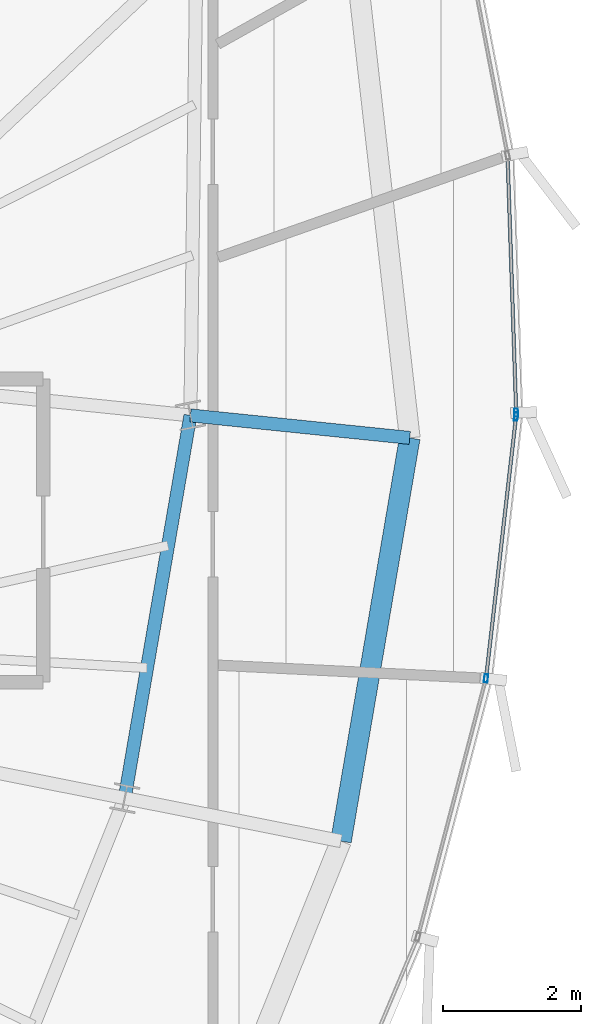
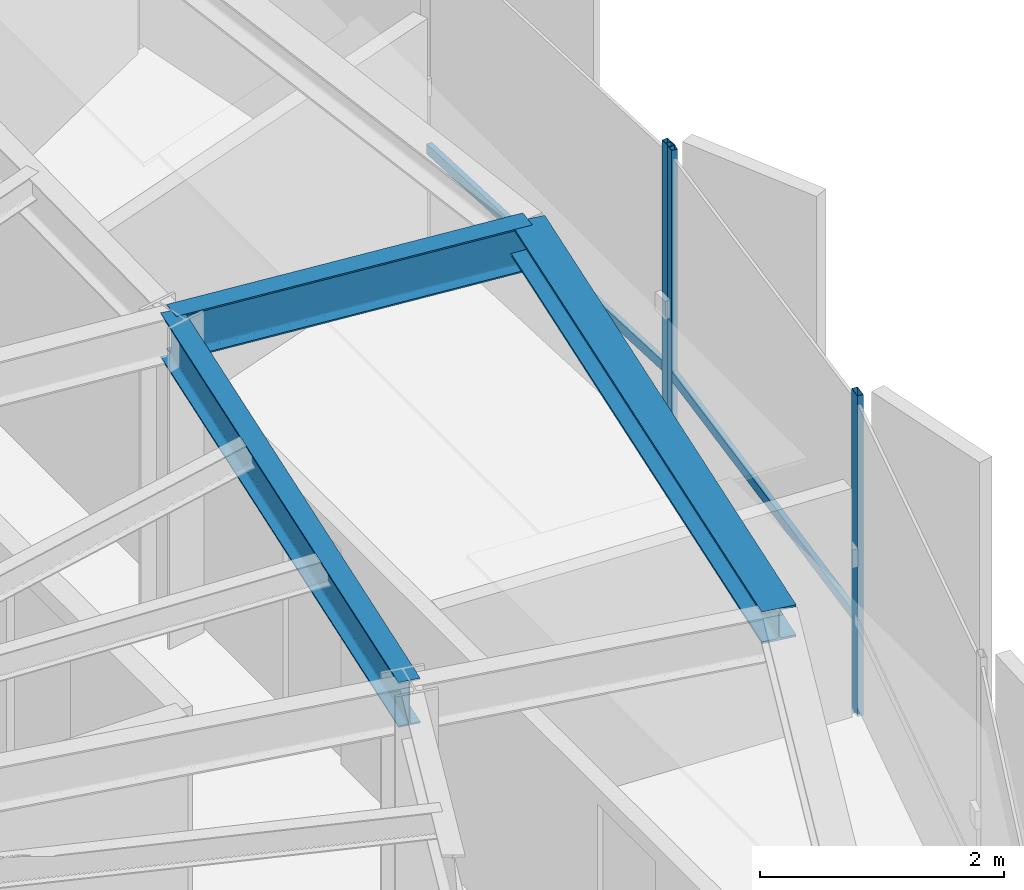
# One storey, part 15 of 31: 5 members, 3 beams, 2 elements without a shape of their own.
"""IFC4 building model written with IfcOpenShell, lengths in metres."""

from ifc_helpers import new_model, si_unit, direction, frame, origin, origin_2d, place, context, subcontext, project, spatial, hollow_rectangle, i_section, extrude, source, transform, mapped, material, layer, layer_set, material_profile, profile_set, type_object, element, aggregate, save


model = new_model("IFC4")

# Units and contexts
model_context = context("Model", 3, precision=1e-05, world=origin(), true_north=direction((0.0, 1.0)))
body_context = subcontext(model_context, "Body", "Model", "MODEL_VIEW")
ifc_project = project(units=[si_unit("LENGTHUNIT", "METRE"), si_unit("AREAUNIT", "SQUARE_METRE"), si_unit("VOLUMEUNIT", "CUBIC_METRE"), si_unit("PLANEANGLEUNIT", "RADIAN"), si_unit("MASSUNIT", "GRAM", prefix="KILO"), si_unit("THERMODYNAMICTEMPERATUREUNIT", "KELVIN")], contexts=[model_context])

# Site, building, storey
site_placement = place(None, origin())
site = spatial("IfcSite", under=ifc_project, at=site_placement, CompositionType="ELEMENT")
building_placement = place(site_placement, origin())
building = spatial("IfcBuilding", under=site, at=building_placement, Name="Kethvar Cultural Tower", CompositionType="ELEMENT")
storey_placement = place(building_placement, frame((0.0, 0.0, 287.050048828125)))
storey = spatial("IfcBuildingStorey", under=building, at=storey_placement, Name="L76", CompositionType="ELEMENT", Elevation=287.050048828125)

# Beams
ifc_material_1 = material(Name="Steel S355J2", Category="steel")
ifc_material_profile_1 = material_profile(ifc_material_1, i_section(OverallWidth=0.18994140625, OverallDepth=0.449951171875, WebThickness=0.009521484375, FlangeThickness=0.0146484375, FilletRadius=0.02099609375, at=origin_2d()), Name="Steel S355J2 — IPE450")
ifc_profile_set_1 = profile_set([ifc_material_profile_1], Name="Steel S355J2 — IPE450")
beam_type_1 = type_object("IfcBeamType", Name="BM-IPE450", PredefinedType="BEAM", material=ifc_profile_set_1)
shared_shape_1 = source(origin(), body_context, "Body", "SweptSolid", [
    extrude(i_section(OverallWidth=0.18994140625, OverallDepth=0.449951171875, WebThickness=0.009521484375, FlangeThickness=0.0146484375, FilletRadius=0.02099609375, at=origin_2d()), origin(), (0.0, 0.0, 1.0), 3.199951171875),
])
beam_1_placement = place(storey_placement, frame((61.237060546875, 30.671630859375, 2.98291015625), z_axis=(0.994784019447, -0.10200369921, 0.0), x_axis=(0.10200369921, 0.994784019447, 0.0)))
element("IfcBeam", 1, at=beam_1_placement, inside=storey, type_object=beam_type_1, Name="L76 Perimeter Cantilever Beam RC-01", PredefinedType="BEAM", context=body_context, shape_type="MappedRepresentation", body=[
    mapped(shared_shape_1, transform((0.0, 0.0, 0.0), scale=1.0)),
])
shared_shape_2 = source(origin(), body_context, "Body", "SweptSolid", [
    extrude(i_section(OverallWidth=0.18994140625, OverallDepth=0.449951171875, WebThickness=0.009521484375, FlangeThickness=0.0146484375, FilletRadius=0.02099609375, at=origin_2d()), origin(), (0.0, 0.0, 1.0), 5.635009765625),
])
beam_2_placement = place(storey_placement, frame((60.28369140625, 25.117919921875, 2.98291015625), z_axis=(0.169188687614, 0.985583678834, 0.0), x_axis=(-0.985583678834, 0.169188687614, 0.0)))
element("IfcBeam", 2, at=beam_2_placement, inside=storey, type_object=beam_type_1, Name="L76 Column Ring Tie Beam CR-16", PredefinedType="BEAM", context=body_context, shape_type="MappedRepresentation", body=[
    mapped(shared_shape_2, transform((0.0, 0.0, 0.0), scale=1.0)),
])
ifc_material_profile_2 = material_profile(ifc_material_1, i_section(OverallWidth=0.300048828125, OverallDepth=0.320068359375, WebThickness=0.011474609375, FlangeThickness=0.0205078125, FilletRadius=0.027099609375, at=origin_2d()), Name="Steel S355J2 — HEB320")
ifc_profile_set_2 = profile_set([ifc_material_profile_2], Name="Steel S355J2 — HEB320")
beam_type_2 = type_object("IfcBeamType", Name="BM-SP320", PredefinedType="SPANDREL", material=ifc_profile_set_2)
shared_shape_3 = source(origin(), body_context, "Body", "SweptSolid", [
    extrude(i_section(OverallWidth=0.300048828125, OverallDepth=0.320068359375, WebThickness=0.011474609375, FlangeThickness=0.0205078125, FilletRadius=0.027099609375, at=origin_2d()), origin(), (0.0, 0.0, 1.0), 5.93603515625),
])
beam_3_placement = place(storey_placement, frame((63.422119140625, 24.49365234375, 3.0478515625), z_axis=(0.16817267321, 0.985757552335, 0.0), x_axis=(-0.985757552335, 0.16817267321, 0.0)))
element("IfcBeam", 3, at=beam_3_placement, inside=storey, type_object=beam_type_2, Name="L76 Perimeter Spandrel Beam SP-16", PredefinedType="SPANDREL", context=body_context, shape_type="MappedRepresentation", body=[
    mapped(shared_shape_3, transform((0.0, 0.0, 0.0), scale=1.0)),
])

# Curtain wall, members
ifc_material_2 = material(Name="Aluminium 6063-T6", Category="aluminium")
ifc_layer = layer(ifc_material_2, 0.179931640625, Name="Aluminium 6063-T6", Category="aluminium")
ifc_layer_set = layer_set([ifc_layer], Name="Aluminium 6063-T6 (180 mm)")
curtain_wall_type = type_object("IfcCurtainWallType", Name="CW-SYS-05-Z56", PredefinedType="NOTDEFINED", material=ifc_layer_set)
curtain_wall_1_placement = place(storey_placement, origin())
curtain_wall_1 = element("IfcCurtainWall", 4, at=curtain_wall_1_placement, inside=storey, type_object=curtain_wall_type, Name="L76 Curtain Wall Run 05", PredefinedType="NOTDEFINED")
ifc_material_profile_3 = material_profile(ifc_material_2, hollow_rectangle(XDim=0.054931640625, YDim=0.1201171875, WallThickness=0.00390625, at=origin_2d()), Name="Aluminium 6063-T6 — RHS120x55x4")
ifc_profile_set_3 = profile_set([ifc_material_profile_3], Name="Aluminium 6063-T6 — RHS120x55x4")
member_type_1 = type_object("IfcMemberType", Name="CW-SYS-05-Z56-MUL", PredefinedType="MULLION", material=ifc_profile_set_3)
shared_shape_4 = source(origin(), body_context, "Body", "SweptSolid", [
    extrude(hollow_rectangle(XDim=0.054931640625, YDim=0.1201171875, WallThickness=0.00390625, at=origin_2d()), origin(), (0.0, 0.0, 1.0), 3.2099609375),
])
member_1_placement = place(storey_placement, frame((65.52734375, 26.855224609375, 0.0), z_axis=(0.0, 0.0, 1.0), x_axis=(-0.993494570527, 0.1138794904, 0.0)))
member_1 = element("IfcMember", 5, at=member_1_placement, type_object=member_type_1, Name="CW-L76-R05 Mullion 6", PredefinedType="MULLION", context=body_context, shape_type="MappedRepresentation", body=[
    mapped(shared_shape_4, transform((0.0, 0.0, 0.0), scale=1.0)),
])
member_2_placement = place(storey_placement, frame((65.962646484375, 30.654052734375, 0.0), z_axis=(0.0, 0.0, 1.0), x_axis=(-0.993494570527, 0.1138794904, 0.0)))
member_2 = element("IfcMember", 6, at=member_2_placement, type_object=member_type_1, Name="CW-L76-R05 Mullion 7", PredefinedType="MULLION", context=body_context, shape_type="MappedRepresentation", body=[
    mapped(shared_shape_4, transform((0.0, 0.0, 0.0), scale=1.0)),
])

curtain_wall_2_placement = place(storey_placement, origin())
curtain_wall_2 = element("IfcCurtainWall", 7, at=curtain_wall_2_placement, inside=storey, type_object=curtain_wall_type, Name="L76 Curtain Wall Run 06", PredefinedType="NOTDEFINED")
member_3_placement = place(storey_placement, frame((65.965087890625, 30.71044921875, 0.0), z_axis=(0.0, 0.0, 1.0), x_axis=(-0.999435067695, -0.033608711081, 0.0)))
member_3 = element("IfcMember", 8, at=member_3_placement, type_object=member_type_1, Name="CW-L76-R06 Mullion 1", PredefinedType="MULLION", context=body_context, shape_type="MappedRepresentation", body=[
    mapped(shared_shape_4, transform((0.0, 0.0, 0.0), scale=1.0)),
])
ifc_material_profile_4 = material_profile(ifc_material_2, hollow_rectangle(XDim=0.050048828125, YDim=0.10009765625, WallThickness=0.00390625, at=origin_2d()), Name="Aluminium 6063-T6 — RHS100x50x4")
ifc_profile_set_4 = profile_set([ifc_material_profile_4], Name="Aluminium 6063-T6 — RHS100x50x4")
member_type_2 = type_object("IfcMemberType", Name="CW-SYS-05-Z56-TRN", PredefinedType="USERDEFINED", material=ifc_profile_set_4)
shared_shape_5 = source(origin(), body_context, "Body", "SweptSolid", [
    extrude(hollow_rectangle(XDim=0.050048828125, YDim=0.10009765625, WallThickness=0.00390625, at=origin_2d()), origin(), (0.0, 0.0, 1.0), 3.70654296875),
])
member_4_placement = place(storey_placement, frame((65.96484375, 30.71435546875, 0.949951171875), z_axis=(-0.03359336635, 0.999435583586, 0.0), x_axis=(-0.999435583586, -0.03359336635, 0.0)))
member_4 = element("IfcMember", 9, at=member_4_placement, type_object=member_type_2, Name="CW-L76-R06 Transom 1", ObjectType="TRANSOM", PredefinedType="USERDEFINED", context=body_context, shape_type="MappedRepresentation", body=[
    mapped(shared_shape_5, transform((0.0, 0.0, 0.0), scale=1.0)),
])
aggregate(curtain_wall_2, [member_3, member_4])

# Member
shared_shape_6 = source(origin(), body_context, "Body", "SweptSolid", [
    extrude(hollow_rectangle(XDim=0.050048828125, YDim=0.10009765625, WallThickness=0.00390625, at=origin_2d()), origin(), (0.0, 0.0, 1.0), 3.7802734375),
])
member_5_placement = place(storey_placement, frame((65.53173828125, 26.89453125, 0.949951171875), z_axis=(0.113861699462, 0.993496609655, 0.0), x_axis=(-0.993496609655, 0.113861699462, 0.0)))
member_5 = element("IfcMember", 10, at=member_5_placement, type_object=member_type_2, Name="CW-L76-R05 Transom 6", ObjectType="TRANSOM", PredefinedType="USERDEFINED", context=body_context, shape_type="MappedRepresentation", body=[
    mapped(shared_shape_6, transform((0.0, 0.0, 0.0), scale=1.0)),
])

aggregate(curtain_wall_1, [member_1, member_2, member_5])

save(model, "model.ifc")
